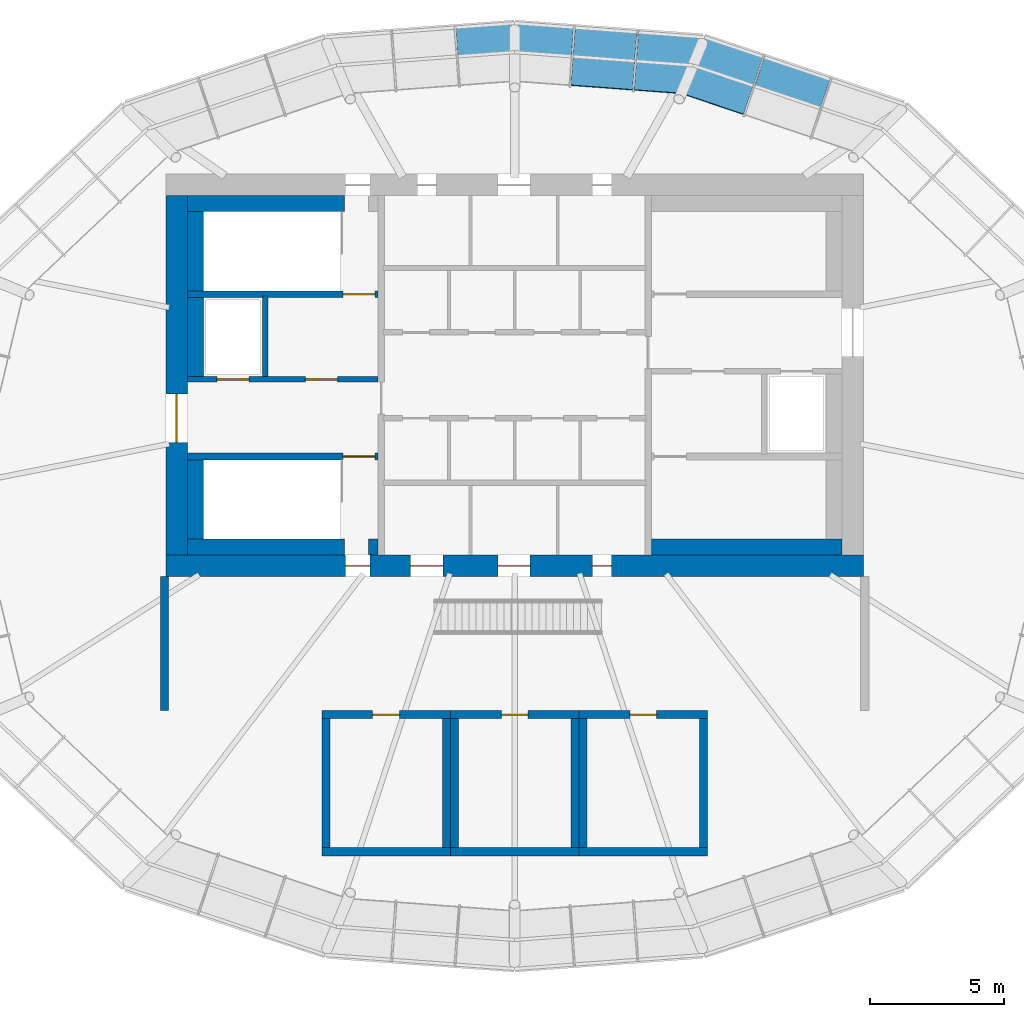
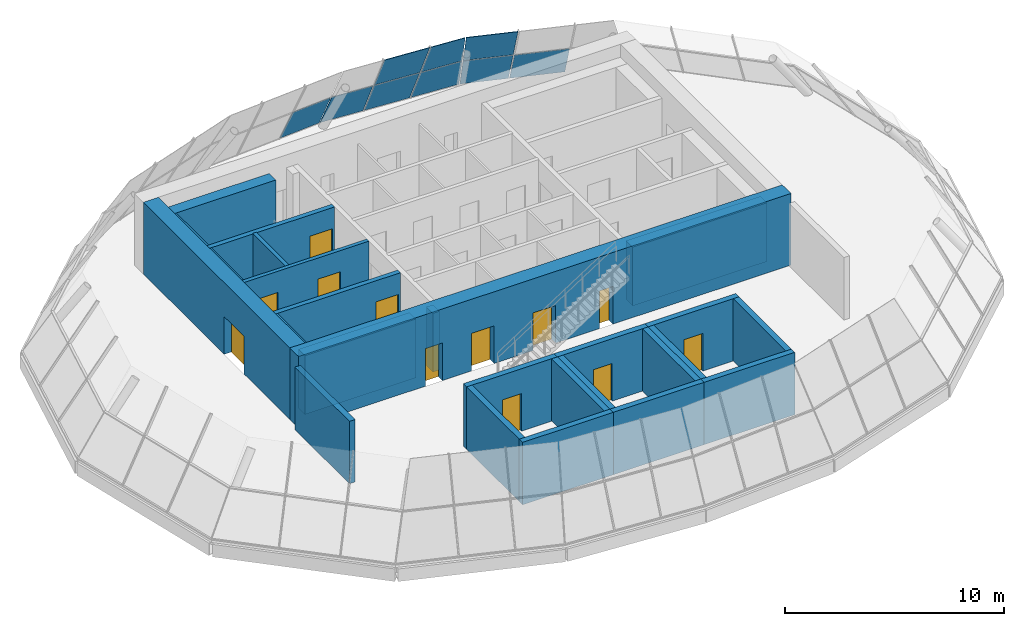
# One storey, part 5 of 8: 26 walls, 12 doors, 9 plates, 12 openings, 3 elements without a shape of their own.
"""IFC4 building model written with IfcOpenShell, lengths in metres."""

import ifcopenshell
import ifcopenshell.guid

model = None  # the IFC model being written
_history = None  # IfcOwnerHistory: only IFC2X3 demands one
_inside = {}  # id of a spatial element -> (the spatial element, [elements in it])
_under = {}  # id of a project, library or spatial element -> (it, [spatial elements below it])
_declared = {}  # id of a project -> (the project, [libraries it declares])
_typed = {}  # id of a type object -> (the type object, [elements of that type])
_made_of = {}  # id of a material, layer set ... -> (it, [elements and type objects made of it])


def new_model(schema):
    """Start an empty IFC model of exactly this schema.

    Asked for "IFC4X3", IfcOpenShell would pick the latest addendum, in which some entities
    have other attributes; the version numbers below select the first issue.
    IFC2X3 requires an IfcOwnerHistory on every rooted entity: one is made here for all.
    """
    global model, _history
    if schema == "IFC4X3":
        model = ifcopenshell.file(schema_version=(4, 3, 0, 0))
    else:
        model = ifcopenshell.file(schema=schema)
    _inside.clear()
    _under.clear()
    _declared.clear()
    _typed.clear()
    _made_of.clear()
    _history = None
    if model.schema == "IFC2X3":
        org = make("IfcOrganization", Name="unknown")
        user = make(
            "IfcPersonAndOrganization",
            ThePerson=make("IfcPerson", FamilyName="unknown"),
            TheOrganization=org,
        )
        app = make(
            "IfcApplication",
            ApplicationDeveloper=org,
            Version="unknown",
            ApplicationFullName="unknown",
            ApplicationIdentifier="unknown",
        )
        _history = make(
            "IfcOwnerHistory",
            OwningUser=user,
            OwningApplication=app,
            ChangeAction="ADDED",
            CreationDate=0,
        )
    return model


def make(cls, **values):
    """One entity of the class cls with the attributes given. An attribute that is None is left unset."""
    return model.create_entity(
        cls, **{name: value for name, value in values.items() if value is not None}
    )


def rooted(cls, **values):
    """An entity with a GlobalId (a new one), such as an element, a storey or a relation."""
    return make(cls, GlobalId=ifcopenshell.guid.new(), OwnerHistory=_history, **values)


def si_unit(unit_type, name, prefix=None):
    """IfcSIUnit, for example si_unit("LENGTHUNIT", "METRE", prefix="MILLI")."""
    return make("IfcSIUnit", UnitType=unit_type, Prefix=prefix, Name=name)


def assignment(units):
    """IfcUnitAssignment: the units of a project."""
    return None if units is None else make("IfcUnitAssignment", Units=units)


def point(xyz):
    """IfcCartesianPoint."""
    return None if xyz is None else make("IfcCartesianPoint", Coordinates=xyz)


def direction(xyz):
    """IfcDirection."""
    return None if xyz is None else make("IfcDirection", DirectionRatios=xyz)


def frame(location, z_axis=None, x_axis=None):
    """IfcAxis2Placement3D, a coordinate frame: its origin and axes. An axis left out is left unset."""
    return make(
        "IfcAxis2Placement3D",
        Location=point(location),
        Axis=direction(z_axis),
        RefDirection=direction(x_axis),
    )


def frame_2d(location, x_axis=None):
    """IfcAxis2Placement2D, a coordinate frame in the plane: its origin and x axis."""
    return make(
        "IfcAxis2Placement2D", Location=point(location), RefDirection=direction(x_axis)
    )


def origin():
    """The frame at (0, 0, 0) with its axes left unset."""
    return frame((0.0, 0.0, 0.0))


def place(relative_to, where):
    """IfcLocalPlacement: puts the frame where relative to a parent placement (None: the world)."""
    return make(
        "IfcLocalPlacement", PlacementRelTo=relative_to, RelativePlacement=where
    )


def context(
    kind, dimensions, precision=None, world=None, true_north=None, identifier=None
):
    """IfcGeometricRepresentationContext, for example the 3D "Model" context."""
    return make(
        "IfcGeometricRepresentationContext",
        ContextIdentifier=identifier,
        ContextType=kind,
        CoordinateSpaceDimension=dimensions,
        Precision=precision,
        WorldCoordinateSystem=world,
        TrueNorth=true_north,
    )


def subcontext(parent, identifier, kind, view, scale=None):
    """IfcGeometricRepresentationSubContext, for example "Body" below "Model"."""
    return make(
        "IfcGeometricRepresentationSubContext",
        ContextIdentifier=identifier,
        ContextType=kind,
        ParentContext=parent,
        TargetScale=scale,
        TargetView=view,
    )


def project(units=None, contexts=None):
    """IfcProject with its units and contexts."""
    return rooted(
        "IfcProject",
        Name="project",
        RepresentationContexts=contexts,
        UnitsInContext=assignment(units),
    )


def spatial(cls, under=None, at=None, **own):
    """A site, building, storey or space (cls), placed at a placement, below another one or the project."""
    s = rooted(cls, ObjectPlacement=at, **own)
    if under is not None:
        _under.setdefault(under.id(), (under, []))[1].append(s)
    return s


def polyline(points):
    """IfcPolyline through the points."""
    return make("IfcPolyline", Points=[point(p) for p in points])


def profile(cls, at=None, kind="AREA", **sizes):
    """A parametric profile (cls). Its sizes go by their IFC names, for example OverallWidth=200.0."""
    return make(cls, ProfileType=kind, Position=at, **sizes)


def rectangle(**sizes):
    """IfcRectangleProfileDef."""
    return profile("IfcRectangleProfileDef", **sizes)


def outline(outer, holes=None, kind="AREA"):
    """IfcArbitraryClosedProfileDef: a profile drawn as a closed curve; with holes, ...WithVoids."""
    if holes is None:
        return make("IfcArbitraryClosedProfileDef", ProfileType=kind, OuterCurve=outer)
    return make(
        "IfcArbitraryProfileDefWithVoids",
        ProfileType=kind,
        OuterCurve=outer,
        InnerCurves=holes,
    )


def extrude(swept, where, along, depth):
    """IfcExtrudedAreaSolid: the profile swept, set in the frame where, extruded along a direction by depth."""
    return make(
        "IfcExtrudedAreaSolid",
        SweptArea=swept,
        Position=where,
        ExtrudedDirection=direction(along),
        Depth=depth,
    )


def shape(context_of_items, identifier, shape_type, items):
    """IfcShapeRepresentation: the items that make up one representation, for example the "Body"."""
    return make(
        "IfcShapeRepresentation",
        ContextOfItems=context_of_items,
        RepresentationIdentifier=identifier,
        RepresentationType=shape_type,
        Items=items,
    )


def material(Name=None, Category=None):
    """IfcMaterial."""
    return make("IfcMaterial", Name=Name, Category=Category)


def layer(
    of_material, thickness, ventilated=None, Name=None, Category=None, Priority=None
):
    """IfcMaterialLayer: one layer of a wall or slab, of a material (None: an air gap)."""
    return make(
        "IfcMaterialLayer",
        Material=of_material,
        LayerThickness=thickness,
        IsVentilated=ventilated,
        Name=Name,
        Category=Category,
        Priority=Priority,
    )


def layer_set(layers, Name=None):
    """IfcMaterialLayerSet."""
    return make("IfcMaterialLayerSet", MaterialLayers=layers, LayerSetName=Name)


def made_of(thing, what):
    """Note that an element or type object is made of a material, layer set ...; save() writes the relation."""
    if what is not None:
        _made_of.setdefault(what.id(), (what, []))[1].append(thing)
    return thing


def type_object(cls, material=None, **own):
    """A type object (cls), such as IfcWallType, which elements share."""
    return made_of(rooted(cls, **own), material)


def element(
    cls,
    number,
    at=None,
    inside=None,
    cuts=None,
    type_object=None,
    material=None,
    context=None,
    identifier="Body",
    shape_type=None,
    held_by="IfcProductDefinitionShape",
    body=None,
    shapes=None,
    **own,
):
    """One element of the class cls, such as IfcWall. Its Tag is "e" and its number.

    at: its placement. inside: the storey or other place that contains it. cuts: it is an
    opening in that element (IfcRelVoidsElement). A single representation is given by context,
    identifier, shape_type and body (its items); several are given by shapes. held_by: the class
    of the entity that holds the representations. save() writes the other relations.
    """
    e = rooted(cls, Tag="e%d" % number, ObjectPlacement=at, **own)
    if body is not None:
        shapes = [shape(context, identifier, shape_type, body)]
    if shapes is not None:
        e.Representation = make(held_by, Representations=shapes)
    if inside is not None:
        _inside.setdefault(inside.id(), (inside, []))[1].append(e)
    if cuts is not None:
        rooted(
            "IfcRelVoidsElement", RelatingBuildingElement=cuts, RelatedOpeningElement=e
        )
    if type_object is not None:
        _typed.setdefault(type_object.id(), (type_object, []))[1].append(e)
    return made_of(e, material)


def fill(opening, filler):
    """IfcRelFillsElement: the door or window that sits in an opening."""
    return rooted(
        "IfcRelFillsElement",
        RelatingOpeningElement=opening,
        RelatedBuildingElement=filler,
    )


def aggregate(whole, parts):
    """IfcRelAggregates: a whole, such as a stair, and the parts it consists of."""
    return rooted("IfcRelAggregates", RelatingObject=whole, RelatedObjects=parts)


def save(model, path):
    """Write the relations noted so far, then the file.

    IfcRelAggregates (storeys below a building ...), IfcRelContainedInSpatialStructure (elements
    in a storey), IfcRelDefinesByType, IfcRelAssociatesMaterial and IfcRelDeclares: one each for
    every whole, place, type object, material and project.
    """
    for whole, parts in _under.values():
        aggregate(whole, parts)
    for where, things in _inside.values():
        rooted(
            "IfcRelContainedInSpatialStructure",
            RelatedElements=things,
            RelatingStructure=where,
        )
    for kind, things in _typed.values():
        rooted("IfcRelDefinesByType", RelatedObjects=things, RelatingType=kind)
    for what, things in _made_of.values():
        rooted("IfcRelAssociatesMaterial", RelatedObjects=things, RelatingMaterial=what)
    for by, libraries in _declared.values():
        rooted("IfcRelDeclares", RelatingContext=by, RelatedDefinitions=libraries)
    model.write(path)


model = new_model("IFC4")

# Units and contexts
model_context = context("Model", 3, precision=1e-05, world=origin(), true_north=direction((0.0, 1.0)))
body_context = subcontext(model_context, "Body", "Model", "MODEL_VIEW")
ifc_project = project(units=[si_unit("LENGTHUNIT", "METRE"), si_unit("AREAUNIT", "SQUARE_METRE"), si_unit("VOLUMEUNIT", "CUBIC_METRE"), si_unit("PLANEANGLEUNIT", "RADIAN"), si_unit("MASSUNIT", "GRAM", prefix="KILO")], contexts=[model_context])

# Site, building, storey
site_placement = place(None, origin())
site = spatial("IfcSite", under=ifc_project, at=site_placement, CompositionType="ELEMENT")
building_placement = place(site_placement, origin())
building = spatial("IfcBuilding", under=site, at=building_placement, Name="Rubra Terraces Tower", CompositionType="ELEMENT")
storey_placement = place(building_placement, frame((0.0, 0.0, 316.199951171875)))
storey = spatial("IfcBuildingStorey", under=building, at=storey_placement, Name="L78", CompositionType="ELEMENT", Elevation=316.199951171875)

# Curtain wall, plates
ifc_material_1 = material(Name="Aluminium and glass", Category="aluminium")
curtain_wall_type = type_object("IfcCurtainWallType", Name="Curtain wall Crown glazing", PredefinedType="NOTDEFINED", material=ifc_material_1)
curtain_wall_1_placement = place(storey_placement, origin())
curtain_wall_1 = element("IfcCurtainWall", 1, at=curtain_wall_1_placement, inside=storey, type_object=curtain_wall_type, Name="Crown glazing L78 facet 3", PredefinedType="NOTDEFINED")
ifc_material_2 = material(Name="Clear glass, laminated", Category="glass")
ifc_layer_1 = layer(ifc_material_2, 0.028076171875)
ifc_layer_set_1 = layer_set([ifc_layer_1], Name="Clear glass, laminated")
plate_type = type_object("IfcPlateType", Name="Crown glazing glass panel 28", PredefinedType="CURTAIN_PANEL", material=ifc_layer_set_1)
plate_1_placement = place(storey_placement, frame((11.746337890625, 15.521484375, 0.025634765625), z_axis=(0.280318083428, 0.834035903296, 0.475190366186), x_axis=(-0.947894085169, 0.318585629465, 0.0)))
plate_1 = element("IfcPlate", 2, at=plate_1_placement, type_object=plate_type, Name="Crown glazing L78 facet 3 panel 2.1", PredefinedType="CURTAIN_PANEL", context=body_context, shape_type="SweptSolid", body=[
    extrude(outline(polyline([(0.0, 0.0), (2.577156173850558, 5.551115123125783e-17), (2.5771842975819723, 2.328523332796875), (2.812373141453106e-05, 2.328523332796875), (0.0, 0.0)])), origin(), (0.0, 0.0, -1.0), 0.028076171875),
])
plate_2_placement = place(storey_placement, frame((9.24658203125, 16.361572265625, 0.025634765625), z_axis=(0.280291574263, 0.834041767396, 0.475195710878), x_axis=(-0.94790334704, 0.318558071097, -2.978237e-06)))
plate_2 = element("IfcPlate", 3, at=plate_2_placement, type_object=plate_type, Name="Crown glazing L78 facet 3 panel 3.1", PredefinedType="CURTAIN_PANEL", context=body_context, shape_type="SweptSolid", body=[
    extrude(outline(polyline([(0.0, 0.0), (2.2569898802476285, 0.0), (2.3330130010331884, 2.328538868451867), (5.4190996626113764e-05, 2.3285233322931624), (0.0, 0.0)])), origin(), (0.0, 0.0, -1.0), 0.028076171875),
])
plate_3_placement = place(storey_placement, frame((8.88525390625, 15.286376953125, 2.125732421875), z_axis=(0.28032529503, 0.834005096226, 0.475240179736), x_axis=(-0.94788750249, 0.318605214352, -3.216611e-06)))
plate_3 = element("IfcPlate", 4, at=plate_3_placement, type_object=plate_type, Name="Crown glazing L78 facet 3 panel 3.2", PredefinedType="CURTAIN_PANEL", context=body_context, shape_type="SweptSolid", body=[
    extrude(outline(polyline([(0.0, 0.0), (2.3348120845228157, 5.551115123125783e-17), (2.410779685014791, 2.328325869730795), (-1.3275977459316536e-06, 2.3283085206144074), (0.0, 0.0)])), origin(), (0.0, 0.0, -1.0), 0.028076171875),
])
aggregate(curtain_wall_1, [plate_1, plate_2, plate_3])

curtain_wall_2_placement = place(storey_placement, origin())
curtain_wall_2 = element("IfcCurtainWall", 5, at=curtain_wall_2_placement, inside=storey, type_object=curtain_wall_type, Name="Crown glazing L78 facet 4", PredefinedType="NOTDEFINED")
plate_4_placement = place(storey_placement, frame((7.048583984375, 17.092041015625, 0.0263671875), z_axis=(0.065827844026, 0.886928464313, 0.457192075765), x_axis=(-0.997257210201, 0.074013895159, 4.94697e-06)))
plate_4 = element("IfcPlate", 6, at=plate_4_placement, type_object=plate_type, Name="Crown glazing L78 facet 4 panel 1.1", PredefinedType="CURTAIN_PANEL", context=body_context, shape_type="SweptSolid", body=[
    extrude(outline(polyline([(0.0, 0.0), (2.441264448864069, -1.3877787807814457e-17), (2.441259761377617, 2.3020293600439947), (0.3471345173615588, 2.3020545874392075), (0.0, 0.0)])), origin(), (0.0, 0.0, -1.0), 0.028076171875),
])
plate_5_placement = place(storey_placement, frame((6.613525390625, 16.041748046875, 2.12646484375), z_axis=(0.065875532479, 0.886877750621, 0.457283576869), x_axis=(-0.997253881443, 0.074058727124, 2.9725824e-05)))
plate_5 = element("IfcPlate", 7, at=plate_5_placement, type_object=plate_type, Name="Crown glazing L78 facet 4 panel 1.2", PredefinedType="CURTAIN_PANEL", context=body_context, shape_type="SweptSolid", body=[
    extrude(outline(polyline([(0.0, 0.0), (2.0850626034649613, 1.3877787807814457e-17), (2.0853047971145817, 2.301820487367757), (0.3471198444371309, 2.3019482805844835), (0.0, 0.0)])), origin(), (0.0, 0.0, -1.0), 0.028076171875),
])
plate_6_placement = place(storey_placement, frame((4.55419921875, 17.277099609375, 0.0263671875), z_axis=(0.065858915129, 0.886931418452, 0.457181870004), x_axis=(-0.997254460847, 0.074050930582, 0.0)))
plate_6 = element("IfcPlate", 8, at=plate_6_placement, type_object=plate_type, Name="Crown glazing L78 facet 4 panel 2.1", PredefinedType="CURTAIN_PANEL", context=body_context, shape_type="SweptSolid", body=[
    extrude(outline(polyline([(0.0, 0.0), (2.3078499643103942, -1.3877787807814457e-17), (2.3077960635388663, 2.3020293595692936), (-5.390077152758832e-05, 2.302029359569293), (0.0, 0.0)])), origin(), (0.0, 0.0, -1.0), 0.028076171875),
])
plate_7_placement = place(storey_placement, frame((4.47412109375, 16.200439453125, 2.12646484375), z_axis=(0.065857273408, 0.886909309171, 0.457224995867), x_axis=(-0.997254460847, 0.074050930582, 0.0)))
plate_7 = element("IfcPlate", 9, at=plate_7_placement, type_object=plate_type, Name="Crown glazing L78 facet 4 panel 2.2", PredefinedType="CURTAIN_PANEL", context=body_context, shape_type="SweptSolid", body=[
    extrude(outline(polyline([(0.0, 0.0), (2.3078499643103942, 0.0), (2.3077960635388663, 2.3018122301398707), (-5.390077152758743e-05, 2.3018122301398707), (0.0, 0.0)])), origin(), (0.0, 0.0, -1.0), 0.028076171875),
])
plate_8_placement = place(storey_placement, frame((2.19287109375, 17.45263671875, 0.0263671875), z_axis=(0.065849766478, 0.886882187683, 0.457278682452), x_axis=(-0.997254643466, 0.074048470841, -7.182539e-06)))
plate_8 = element("IfcPlate", 10, at=plate_8_placement, type_object=plate_type, Name="Crown glazing L78 facet 4 panel 3.1", PredefinedType="CURTAIN_PANEL", context=body_context, shape_type="SweptSolid", body=[
    extrude(outline(polyline([(0.0, 0.0), (2.1690429772759368, 0.0), (2.0908579624589243, 2.3021750846888485), (-8.408840933604928e-05, 2.3021406793098333), (0.0, 0.0)])), origin(), (0.0, 0.0, -1.0), 0.028076171875),
])
aggregate(curtain_wall_2, [plate_4, plate_5, plate_6, plate_7, plate_8])

# Curtain wall, plate
curtain_wall_3_placement = place(storey_placement, origin())
curtain_wall_3 = element("IfcCurtainWall", 11, at=curtain_wall_3_placement, inside=storey, type_object=curtain_wall_type, Name="Crown glazing L78 facet 5", PredefinedType="NOTDEFINED")
plate_9_placement = place(storey_placement, frame((-0.02978515625, 17.613037109375, 0.02685546875), z_axis=(-0.065849567636, 0.88687950962, 0.457283905094), x_axis=(-0.99725464346, -0.074048470925, 7.1826e-06)))
plate_9 = element("IfcPlate", 12, at=plate_9_placement, type_object=plate_type, Name="Crown glazing L78 facet 5 panel 1.1", PredefinedType="CURTAIN_PANEL", context=body_context, shape_type="SweptSolid", body=[
    extrude(outline(polyline([(0.0, 0.0), (2.169042977275938, 0.0), (2.1690909024034246, 2.3010495318226547), (0.07814885153516885, 2.3010839375946186), (0.0, 0.0)])), origin(), (0.0, 0.0, -1.0), 0.028076171875),
])
aggregate(curtain_wall_3, [plate_9])

# Wall, openings, doors
ifc_material_3 = material(Name="Concrete C50", Category="concrete")
ifc_layer_2 = layer(ifc_material_3, 0.800048828125)
ifc_layer_set_2 = layer_set([ifc_layer_2], Name="Concrete C50")
wall_type_1 = type_object("IfcWallType", Name="CORE WALL 800 C50", PredefinedType="SHEAR", material=ifc_layer_set_2)
wall_1_placement = place(storey_placement, frame((-13.0, -2.60009765625, 0.0), z_axis=(0.0, 0.0, 1.0), x_axis=(1.0, 0.0, 0.0)))
wall_1 = element("IfcWall", 13, at=wall_1_placement, inside=storey, type_object=wall_type_1, Name="CORE WALL S L78", PredefinedType="SHEAR", context=body_context, shape_type="SweptSolid", body=[
    extrude(rectangle(XDim=26.0, YDim=0.800048828125, at=frame_2d((13.0, 0.0))), origin(), (0.0, 0.0, 1.0), 4.0),
])
opening_1_placement = place(wall_1_placement, frame((9.125, 0.0, 0.0)))
opening_1 = element("IfcOpeningElement", 14, at=opening_1_placement, cuts=wall_1, Name="Opening L78.C21", PredefinedType="OPENING", context=body_context, shape_type="SweptSolid", body=[
    extrude(rectangle(XDim=1.199951171875, YDim=2.10009765625, at=frame_2d((0.60009765625, 1.050048828125))), frame((0.0, 0.409912109375, 0.0), z_axis=(0.0, -1.0, 0.0), x_axis=(1.0, 0.0, 0.0)), (0.0, 0.0, 1.0), 0.820068359375),
])
opening_2_placement = place(wall_1_placement, frame((12.375, 0.0, 0.0)))
opening_2 = element("IfcOpeningElement", 15, at=opening_2_placement, cuts=wall_1, Name="Opening L78.C22", PredefinedType="OPENING", context=body_context, shape_type="SweptSolid", body=[
    extrude(rectangle(XDim=1.199951171875, YDim=2.10009765625, at=frame_2d((0.60009765625, 1.050048828125))), frame((0.0, 0.409912109375, 0.0), z_axis=(0.0, -1.0, 0.0), x_axis=(1.0, 0.0, 0.0)), (0.0, 0.0, 1.0), 0.820068359375),
])
opening_3_placement = place(wall_1_placement, frame((15.89990234375, 0.0, 0.0)))
opening_3 = element("IfcOpeningElement", 16, at=opening_3_placement, cuts=wall_1, Name="Opening L78.C23", PredefinedType="OPENING", context=body_context, shape_type="SweptSolid", body=[
    extrude(rectangle(XDim=0.699951171875, YDim=2.10009765625, at=frame_2d((0.35009765625, 1.050048828125))), frame((0.0, 0.409912109375, 0.0), z_axis=(0.0, -1.0, 0.0), x_axis=(1.0, 0.0, 0.0)), (0.0, 0.0, 1.0), 0.820068359375),
])
opening_4_placement = place(wall_1_placement, frame((6.699951171875, 0.0, 0.0)))
opening_4 = element("IfcOpeningElement", 17, at=opening_4_placement, cuts=wall_1, Name="Opening L78.P04", PredefinedType="OPENING", context=body_context, shape_type="SweptSolid", body=[
    extrude(rectangle(XDim=0.89990234375, YDim=2.10009765625, at=frame_2d((0.449951171875, 1.050048828125))), frame((0.0, 0.409912109375, 0.0), z_axis=(0.0, -1.0, 0.0), x_axis=(1.0, 0.0, 0.0)), (0.0, 0.0, 1.0), 0.820068359375),
])
ifc_material_4 = material(Name="Painted steel", Category="steel")
door_type_1 = type_object("IfcDoorType", Name="Fire door 1200x2100 single", OperationType="NOTDEFINED", PredefinedType="DOOR", material=ifc_material_4)
door_1_placement = place(opening_1_placement, origin())
door_1 = element("IfcDoor", 18, at=door_1_placement, inside=storey, type_object=door_type_1, Name="Air handling plant room door", OperationType="SINGLE_SWING_LEFT", OverallHeight=2.10009765625, OverallWidth=1.199951171875, PredefinedType="DOOR", context=body_context, shape_type="SweptSolid", body=[
    extrude(rectangle(XDim=1.199951171875, YDim=2.10009765625, at=frame_2d((0.60009765625, 1.050048828125))), frame((0.0, 0.02490234375, 0.0), z_axis=(0.0, -1.0, 0.0), x_axis=(1.0, 0.0, 0.0)), (0.0, 0.0, 1.0), 0.050048828125),
])
fill(opening_1, door_1)
door_2_placement = place(opening_2_placement, origin())
door_2 = element("IfcDoor", 19, at=door_2_placement, inside=storey, type_object=door_type_1, Name="Air handling plant room door", OperationType="SINGLE_SWING_RIGHT", OverallHeight=2.10009765625, OverallWidth=1.199951171875, PredefinedType="DOOR", context=body_context, shape_type="SweptSolid", body=[
    extrude(rectangle(XDim=1.199951171875, YDim=2.10009765625, at=frame_2d((0.60009765625, 1.050048828125))), frame((0.0, 0.02490234375, 0.0), z_axis=(0.0, -1.0, 0.0), x_axis=(1.0, 0.0, 0.0)), (0.0, 0.0, 1.0), 0.050048828125),
])
fill(opening_2, door_2)
door_type_2 = type_object("IfcDoorType", Name="Fire door 900x2100 single", OperationType="NOTDEFINED", PredefinedType="DOOR", material=ifc_material_4)
door_3_placement = place(opening_4_placement, origin())
door_3 = element("IfcDoor", 20, at=door_3_placement, inside=storey, type_object=door_type_2, Name="Stair S1 door from the plant corridor", OperationType="SINGLE_SWING_RIGHT", OverallHeight=2.10009765625, OverallWidth=0.89990234375, PredefinedType="DOOR", context=body_context, shape_type="SweptSolid", body=[
    extrude(rectangle(XDim=0.89990234375, YDim=2.10009765625, at=frame_2d((0.449951171875, 1.050048828125))), frame((0.0, 0.02490234375, 0.0), z_axis=(0.0, -1.0, 0.0), x_axis=(1.0, 0.0, 0.0)), (0.0, 0.0, 1.0), 0.050048828125),
])
fill(opening_4, door_3)
door_type_3 = type_object("IfcDoorType", Name="Riser access door 700x2100 single", OperationType="NOTDEFINED", PredefinedType="DOOR", material=ifc_material_4)
door_4_placement = place(opening_3_placement, origin())
door_4 = element("IfcDoor", 21, at=door_4_placement, inside=storey, type_object=door_type_3, Name="Electrical riser room door", OperationType="SINGLE_SWING_LEFT", OverallHeight=2.10009765625, OverallWidth=0.699951171875, PredefinedType="DOOR", context=body_context, shape_type="SweptSolid", body=[
    extrude(rectangle(XDim=0.699951171875, YDim=2.10009765625, at=frame_2d((0.35009765625, 1.050048828125))), frame((0.0, 0.02490234375, 0.0), z_axis=(0.0, -1.0, 0.0), x_axis=(1.0, 0.0, 0.0)), (0.0, 0.0, 1.0), 0.050048828125),
])
fill(opening_3, door_4)

# Wall, opening, door
wall_2_placement = place(storey_placement, frame((-12.60009765625, -2.199951171875, 0.0), z_axis=(0.0, 0.0, 1.0), x_axis=(0.0, 1.0, 0.0)))
wall_2 = element("IfcWall", 22, at=wall_2_placement, inside=storey, type_object=wall_type_1, Name="CORE WALL W L78", PredefinedType="SHEAR", context=body_context, shape_type="SweptSolid", body=[
    extrude(rectangle(XDim=13.39990234375, YDim=0.800048828125, at=frame_2d((6.699951171875, 0.0))), origin(), (0.0, 0.0, 1.0), 4.0),
])
opening_5_placement = place(wall_2_placement, frame((4.199951171875, 0.0, 0.0)))
opening_5 = element("IfcOpeningElement", 23, at=opening_5_placement, cuts=wall_2, Name="Opening L78.C01", PredefinedType="OPENING", context=body_context, shape_type="SweptSolid", body=[
    extrude(rectangle(XDim=1.800048828125, YDim=2.10009765625, at=frame_2d((0.89990234375, 1.050048828125))), frame((0.0, 0.409912109375, 0.0), z_axis=(0.0, -1.0, 0.0), x_axis=(1.0, 0.0, 0.0)), (0.0, 0.0, 1.0), 0.820068359375),
])
door_type_4 = type_object("IfcDoorType", Name="Fire door 1800x2100 double", OperationType="NOTDEFINED", PredefinedType="DOOR", material=ifc_material_4)
door_5_placement = place(opening_5_placement, origin())
door_5 = element("IfcDoor", 24, at=door_5_placement, inside=storey, type_object=door_type_4, Name="Core entrance door FF1", OperationType="DOUBLE_DOOR_SINGLE_SWING", OverallHeight=2.10009765625, OverallWidth=1.800048828125, PredefinedType="DOOR", context=body_context, shape_type="SweptSolid", body=[
    extrude(rectangle(XDim=1.800048828125, YDim=2.10009765625, at=frame_2d((0.89990234375, 1.050048828125))), frame((0.0, 0.02490234375, 0.0), z_axis=(0.0, -1.0, 0.0), x_axis=(1.0, 0.0, 0.0)), (0.0, 0.0, 1.0), 0.050048828125),
])
fill(opening_5, door_5)

# Walls
ifc_material_5 = material(Name="Concrete C40", Category="concrete")
ifc_layer_3 = layer(ifc_material_5, 0.35009765625)
ifc_layer_set_3 = layer_set([ifc_layer_3], Name="Concrete C40")
wall_type_2 = type_object("IfcWallType", Name="Core lining wall 350 concrete", PredefinedType="SOLIDWALL", material=ifc_layer_set_3)
wall_3_placement = place(storey_placement, frame((-5.27490234375, -2.199951171875, 0.0), z_axis=(0.0, 0.0, 1.0), x_axis=(0.0, 1.0, 0.0)))
element("IfcWall", 25, at=wall_3_placement, inside=storey, type_object=wall_type_2, Name="CORE LINING WALL L78", PredefinedType="SOLIDWALL", context=body_context, shape_type="SweptSolid", body=[
    extrude(rectangle(XDim=0.599853515625, YDim=0.35009765625, at=frame_2d((0.2998046875, 0.0))), origin(), (0.0, 0.0, 1.0), 3.280029296875),
])
ifc_layer_4 = layer(ifc_material_5, 0.60009765625)
ifc_layer_set_4 = layer_set([ifc_layer_4], Name="Concrete C40")
wall_type_3 = type_object("IfcWallType", Name="Core lining wall 600 concrete", PredefinedType="SOLIDWALL", material=ifc_layer_set_4)
wall_4_placement = place(storey_placement, frame((-12.199951171875, -1.89990234375, 0.0), z_axis=(0.0, 0.0, 1.0), x_axis=(1.0, 0.0, 0.0)))
element("IfcWall", 26, at=wall_4_placement, inside=storey, type_object=wall_type_3, Name="CORE LINING WALL L78", PredefinedType="SOLIDWALL", context=body_context, shape_type="SweptSolid", body=[
    extrude(rectangle(XDim=5.849853515625, YDim=0.60009765625, at=frame_2d((2.9248046875, 0.0))), origin(), (0.0, 0.0, 1.0), 3.280029296875),
])
wall_5_placement = place(storey_placement, frame((-11.89990234375, -1.60009765625, 0.0), z_axis=(0.0, 0.0, 1.0), x_axis=(0.0, 1.0, 0.0)))
element("IfcWall", 27, at=wall_5_placement, inside=storey, type_object=wall_type_3, Name="CORE LINING WALL L78", PredefinedType="SOLIDWALL", context=body_context, shape_type="SweptSolid", body=[
    extrude(rectangle(XDim=2.9501953125, YDim=0.60009765625, at=frame_2d((1.47509765625, 0.0))), origin(), (0.0, 0.0, 1.0), 3.280029296875),
])
wall_6_placement = place(storey_placement, frame((-11.89990234375, 4.449951171875, 0.0), z_axis=(0.0, 0.0, 1.0), x_axis=(0.0, 1.0, 0.0)))
element("IfcWall", 28, at=wall_6_placement, inside=storey, type_object=wall_type_3, Name="CORE LINING WALL L78", PredefinedType="SOLIDWALL", context=body_context, shape_type="SweptSolid", body=[
    extrude(rectangle(XDim=3.0, YDim=0.60009765625, at=frame_2d((1.5, 0.0))), origin(), (0.0, 0.0, 1.0), 3.280029296875),
])
wall_7_placement = place(storey_placement, frame((-11.89990234375, 7.64990234375, 0.0), z_axis=(0.0, 0.0, 1.0), x_axis=(0.0, 1.0, 0.0)))
element("IfcWall", 29, at=wall_7_placement, inside=storey, type_object=wall_type_3, Name="CORE LINING WALL L78", PredefinedType="SOLIDWALL", context=body_context, shape_type="SweptSolid", body=[
    extrude(rectangle(XDim=2.9501953125, YDim=0.60009765625, at=frame_2d((1.47509765625, 0.0))), origin(), (0.0, 0.0, 1.0), 3.280029296875),
])
wall_8_placement = place(storey_placement, frame((-12.199951171875, 10.89990234375, 0.0), z_axis=(0.0, 0.0, 1.0), x_axis=(1.0, 0.0, 0.0)))
element("IfcWall", 30, at=wall_8_placement, inside=storey, type_object=wall_type_3, Name="CORE LINING WALL L78", PredefinedType="SOLIDWALL", context=body_context, shape_type="SweptSolid", body=[
    extrude(rectangle(XDim=5.849853515625, YDim=0.60009765625, at=frame_2d((2.9248046875, 0.0))), origin(), (0.0, 0.0, 1.0), 3.280029296875),
])
wall_9_placement = place(storey_placement, frame((12.199951171875, -1.89990234375, 0.0), z_axis=(0.0, 0.0, 1.0), x_axis=(-1.0, 0.0, 0.0)))
element("IfcWall", 31, at=wall_9_placement, inside=storey, type_object=wall_type_3, Name="CORE LINING WALL L78", PredefinedType="SOLIDWALL", context=body_context, shape_type="SweptSolid", body=[
    extrude(rectangle(XDim=7.099853515625, YDim=0.60009765625, at=frame_2d((3.5498046875, 0.0))), origin(), (0.0, 0.0, 1.0), 3.280029296875),
])

# Wall, openings, doors
ifc_material_6 = material(Name="Concrete C30", Category="concrete")
ifc_layer_5 = layer(ifc_material_6, 0.199951171875)
ifc_layer_set_5 = layer_set([ifc_layer_5], Name="Concrete C30")
wall_type_4 = type_object("IfcWallType", Name="Core wall 200 concrete", PredefinedType="SOLIDWALL", material=ifc_layer_set_5)
wall_10_placement = place(storey_placement, frame((-12.199951171875, 4.35009765625, 0.0), z_axis=(0.0, 0.0, 1.0), x_axis=(1.0, 0.0, 0.0)))
wall_10 = element("IfcWall", 32, at=wall_10_placement, inside=storey, type_object=wall_type_4, Name="STAIR WALL L78", PredefinedType="SOLIDWALL", context=body_context, shape_type="SweptSolid", body=[
    extrude(rectangle(XDim=7.099853515625, YDim=0.199951171875, at=frame_2d((3.5498046875, 0.0))), origin(), (0.0, 0.0, 1.0), 3.280029296875),
])
opening_6_placement = place(wall_10_placement, frame((4.39990234375, 0.0, 0.0)))
opening_6 = element("IfcOpeningElement", 33, at=opening_6_placement, cuts=wall_10, Name="Opening L78.C05", PredefinedType="OPENING", context=body_context, shape_type="SweptSolid", body=[
    extrude(rectangle(XDim=1.199951171875, YDim=2.10009765625, at=frame_2d((0.60009765625, 1.050048828125))), frame((0.0, 0.10986328125, 0.0), z_axis=(0.0, -1.0, 0.0), x_axis=(1.0, 0.0, 0.0)), (0.0, 0.0, 1.0), 0.219970703125),
])
opening_7_placement = place(wall_10_placement, frame((1.10009765625, 0.0, 0.0)))
opening_7 = element("IfcOpeningElement", 34, at=opening_7_placement, cuts=wall_10, Name="Opening L78.C11", PredefinedType="OPENING", context=body_context, shape_type="SweptSolid", body=[
    extrude(rectangle(XDim=1.199951171875, YDim=2.10009765625, at=frame_2d((0.60009765625, 1.050048828125))), frame((0.0, 0.10986328125, 0.0), z_axis=(0.0, -1.0, 0.0), x_axis=(1.0, 0.0, 0.0)), (0.0, 0.0, 1.0), 0.219970703125),
])
door_6_placement = place(opening_6_placement, origin())
door_6 = element("IfcDoor", 35, at=door_6_placement, inside=storey, type_object=door_type_1, Name="Stair vestibule door S2", OperationType="SINGLE_SWING_LEFT", OverallHeight=2.10009765625, OverallWidth=1.199951171875, PredefinedType="DOOR", context=body_context, shape_type="SweptSolid", body=[
    extrude(rectangle(XDim=1.199951171875, YDim=2.10009765625, at=frame_2d((0.60009765625, 1.050048828125))), frame((0.0, 0.02490234375, 0.0), z_axis=(0.0, -1.0, 0.0), x_axis=(1.0, 0.0, 0.0)), (0.0, 0.0, 1.0), 0.050048828125),
])
fill(opening_6, door_6)
ifc_material_7 = material(Name="Stainless steel", Category="steel")
door_type_5 = type_object("IfcDoorType", Name="Lift landing door 1200x2100", OperationType="NOTDEFINED", PredefinedType="DOOR", material=ifc_material_7)
door_7_placement = place(opening_7_placement, origin())
door_7 = element("IfcDoor", 36, at=door_7_placement, inside=storey, type_object=door_type_5, Name="Landing door FF1", OperationType="SLIDING_TO_RIGHT", OverallHeight=2.10009765625, OverallWidth=1.199951171875, PredefinedType="DOOR", context=body_context, shape_type="SweptSolid", body=[
    extrude(rectangle(XDim=1.199951171875, YDim=2.10009765625, at=frame_2d((0.60009765625, 1.050048828125))), frame((0.0, 0.02490234375, 0.0), z_axis=(0.0, -1.0, 0.0), x_axis=(1.0, 0.0, 0.0)), (0.0, 0.0, 1.0), 0.050048828125),
])
fill(opening_7, door_7)

# Wall
wall_11_placement = place(storey_placement, frame((-9.300048828125, 4.449951171875, 0.0), z_axis=(0.0, 0.0, 1.0), x_axis=(0.0, 1.0, 0.0)))
element("IfcWall", 37, at=wall_11_placement, inside=storey, type_object=wall_type_4, Name="STAIR WALL L78", PredefinedType="SOLIDWALL", context=body_context, shape_type="SweptSolid", body=[
    extrude(rectangle(XDim=3.0, YDim=0.199951171875, at=frame_2d((1.5, 0.0))), origin(), (0.0, 0.0, 1.0), 3.280029296875),
])

# Wall, opening, door
ifc_material_8 = material(Name="Blockwork", Category="masonry")
ifc_layer_6 = layer(ifc_material_8, 0.300048828125)
ifc_layer_set_6 = layer_set([ifc_layer_6], Name="Blockwork")
wall_type_5 = type_object("IfcWallType", Name="Plant wall 300 blockwork", PredefinedType="SOLIDWALL", material=ifc_layer_set_6)
wall_12_placement = place(storey_placement, frame((-7.18701171875, -8.14990234375, 0.0), z_axis=(0.0, 0.0, 1.0), x_axis=(1.0, 0.0, 0.0)))
wall_12 = element("IfcWall", 38, at=wall_12_placement, inside=storey, type_object=wall_type_5, Name="PLANT ROOM WALL L78", PredefinedType="SOLIDWALL", context=body_context, shape_type="SweptSolid", body=[
    extrude(rectangle(XDim=4.791015625, YDim=0.300048828125, at=frame_2d((2.3955078125, 0.0))), origin(), (0.0, 0.0, 1.0), 3.484130859375),
])
opening_8_placement = place(wall_12_placement, frame((1.89599609375, 0.0, 0.0)))
opening_8 = element("IfcOpeningElement", 39, at=opening_8_placement, cuts=wall_12, Name="Opening L78.P01", PredefinedType="OPENING", context=body_context, shape_type="SweptSolid", body=[
    extrude(rectangle(XDim=1.0, YDim=2.10009765625, at=frame_2d((0.5, 1.050048828125))), frame((0.0, 0.159912109375, 0.0), z_axis=(0.0, -1.0, 0.0), x_axis=(1.0, 0.0, 0.0)), (0.0, 0.0, 1.0), 0.320068359375),
])
door_type_6 = type_object("IfcDoorType", Name="Fire door 1000x2100 single", OperationType="NOTDEFINED", PredefinedType="DOOR", material=ifc_material_4)
door_8_placement = place(opening_8_placement, origin())
door_8 = element("IfcDoor", 40, at=door_8_placement, inside=storey, type_object=door_type_6, Name="Crown mechanical plant door", OperationType="SINGLE_SWING_LEFT", OverallHeight=2.10009765625, OverallWidth=1.0, PredefinedType="DOOR", context=body_context, shape_type="SweptSolid", body=[
    extrude(rectangle(XDim=1.0, YDim=2.10009765625, at=frame_2d((0.5, 1.050048828125))), frame((0.0, 0.02490234375, 0.0), z_axis=(0.0, -1.0, 0.0), x_axis=(1.0, 0.0, 0.0)), (0.0, 0.0, 1.0), 0.050048828125),
])
fill(opening_8, door_8)

# Walls
wall_13_placement = place(storey_placement, frame((-7.18701171875, -13.260009765625, 0.0), z_axis=(0.0, 0.0, 1.0), x_axis=(1.0, 0.0, 0.0)))
element("IfcWall", 41, at=wall_13_placement, inside=storey, type_object=wall_type_5, Name="PLANT ROOM WALL L78", PredefinedType="SOLIDWALL", context=body_context, shape_type="SweptSolid", body=[
    extrude(rectangle(XDim=4.791015625, YDim=0.300048828125, at=frame_2d((2.3955078125, 0.0))), origin(), (0.0, 0.0, 1.0), 3.484130859375),
])
for number, where, z_axis, x_axis, name in (
    (42, (-7.037109375, -13.110107421875, 0.0), (0.0, 0.0, 1.0), (0.0, 1.0, 0.0), "PLANT ROOM WALL L78"),
    (43, (-2.5458984375, -13.110107421875, 0.0), (0.0, 0.0, 1.0), (0.0, 1.0, 0.0), "PLANT ROOM WALL L78"),
):
    element("IfcWall", number, at=place(storey_placement, frame(where, z_axis=z_axis, x_axis=x_axis)), inside=storey, type_object=wall_type_5, Name=name, PredefinedType="SOLIDWALL", context=body_context, shape_type="SweptSolid", body=[
        extrude(rectangle(XDim=4.81005859375, YDim=0.300048828125, at=frame_2d((2.405029296875, 0.0))), origin(), (0.0, 0.0, 1.0), 3.484130859375),
    ])

# Wall, opening, door
wall_14_placement = place(storey_placement, frame((-2.39599609375, -8.14990234375, 0.0), z_axis=(0.0, 0.0, 1.0), x_axis=(1.0, 0.0, 0.0)))
wall_14 = element("IfcWall", 44, at=wall_14_placement, inside=storey, type_object=wall_type_5, Name="PLANT ROOM WALL L78", PredefinedType="SOLIDWALL", context=body_context, shape_type="SweptSolid", body=[
    extrude(rectangle(XDim=4.7919921875, YDim=0.300048828125, at=frame_2d((2.39599609375, 0.0))), origin(), (0.0, 0.0, 1.0), 3.484130859375),
])
opening_9_placement = place(wall_14_placement, frame((1.89599609375, 0.0, 0.0)))
opening_9 = element("IfcOpeningElement", 45, at=opening_9_placement, cuts=wall_14, Name="Opening L78.P02", PredefinedType="OPENING", context=body_context, shape_type="SweptSolid", body=[
    extrude(rectangle(XDim=1.0, YDim=2.10009765625, at=frame_2d((0.5, 1.050048828125))), frame((0.0, 0.159912109375, 0.0), z_axis=(0.0, -1.0, 0.0), x_axis=(1.0, 0.0, 0.0)), (0.0, 0.0, 1.0), 0.320068359375),
])
door_9_placement = place(opening_9_placement, origin())
door_9 = element("IfcDoor", 46, at=door_9_placement, inside=storey, type_object=door_type_6, Name="Smoke extract plant door", OperationType="SINGLE_SWING_RIGHT", OverallHeight=2.10009765625, OverallWidth=1.0, PredefinedType="DOOR", context=body_context, shape_type="SweptSolid", body=[
    extrude(rectangle(XDim=1.0, YDim=2.10009765625, at=frame_2d((0.5, 1.050048828125))), frame((0.0, 0.02490234375, 0.0), z_axis=(0.0, -1.0, 0.0), x_axis=(1.0, 0.0, 0.0)), (0.0, 0.0, 1.0), 0.050048828125),
])
fill(opening_9, door_9)

# Walls
wall_15_placement = place(storey_placement, frame((-2.39599609375, -13.260009765625, 0.0), z_axis=(0.0, 0.0, 1.0), x_axis=(1.0, 0.0, 0.0)))
element("IfcWall", 47, at=wall_15_placement, inside=storey, type_object=wall_type_5, Name="PLANT ROOM WALL L78", PredefinedType="SOLIDWALL", context=body_context, shape_type="SweptSolid", body=[
    extrude(rectangle(XDim=4.7919921875, YDim=0.300048828125, at=frame_2d((2.39599609375, 0.0))), origin(), (0.0, 0.0, 1.0), 3.484130859375),
])
for number, where, z_axis, x_axis, name in (
    (48, (-2.24609375, -13.110107421875, 0.0), (0.0, 0.0, 1.0), (0.0, 1.0, 0.0), "PLANT ROOM WALL L78"),
    (49, (2.24609375, -13.110107421875, 0.0), (0.0, 0.0, 1.0), (0.0, 1.0, 0.0), "PLANT ROOM WALL L78"),
):
    element("IfcWall", number, at=place(storey_placement, frame(where, z_axis=z_axis, x_axis=x_axis)), inside=storey, type_object=wall_type_5, Name=name, PredefinedType="SOLIDWALL", context=body_context, shape_type="SweptSolid", body=[
        extrude(rectangle(XDim=4.81005859375, YDim=0.300048828125, at=frame_2d((2.405029296875, 0.0))), origin(), (0.0, 0.0, 1.0), 3.484130859375),
    ])

# Wall, opening, door
wall_16_placement = place(storey_placement, frame((2.39599609375, -8.14990234375, 0.0), z_axis=(0.0, 0.0, 1.0), x_axis=(1.0, 0.0, 0.0)))
wall_16 = element("IfcWall", 50, at=wall_16_placement, inside=storey, type_object=wall_type_5, Name="PLANT ROOM WALL L78", PredefinedType="SOLIDWALL", context=body_context, shape_type="SweptSolid", body=[
    extrude(rectangle(XDim=4.791015625, YDim=0.300048828125, at=frame_2d((2.3955078125, 0.0))), origin(), (0.0, 0.0, 1.0), 3.484130859375),
])
opening_10_placement = place(wall_16_placement, frame((1.89599609375, 0.0, 0.0)))
opening_10 = element("IfcOpeningElement", 51, at=opening_10_placement, cuts=wall_16, Name="Opening L78.P03", PredefinedType="OPENING", context=body_context, shape_type="SweptSolid", body=[
    extrude(rectangle(XDim=1.0, YDim=2.10009765625, at=frame_2d((0.5, 1.050048828125))), frame((0.0, 0.159912109375, 0.0), z_axis=(0.0, -1.0, 0.0), x_axis=(1.0, 0.0, 0.0)), (0.0, 0.0, 1.0), 0.320068359375),
])
door_10_placement = place(opening_10_placement, origin())
door_10 = element("IfcDoor", 52, at=door_10_placement, inside=storey, type_object=door_type_6, Name="Building maintenance unit store door", OperationType="SINGLE_SWING_LEFT", OverallHeight=2.10009765625, OverallWidth=1.0, PredefinedType="DOOR", context=body_context, shape_type="SweptSolid", body=[
    extrude(rectangle(XDim=1.0, YDim=2.10009765625, at=frame_2d((0.5, 1.050048828125))), frame((0.0, 0.02490234375, 0.0), z_axis=(0.0, -1.0, 0.0), x_axis=(1.0, 0.0, 0.0)), (0.0, 0.0, 1.0), 0.050048828125),
])
fill(opening_10, door_10)

# Walls
wall_17_placement = place(storey_placement, frame((2.39599609375, -13.260009765625, 0.0), z_axis=(0.0, 0.0, 1.0), x_axis=(1.0, 0.0, 0.0)))
element("IfcWall", 53, at=wall_17_placement, inside=storey, type_object=wall_type_5, Name="PLANT ROOM WALL L78", PredefinedType="SOLIDWALL", context=body_context, shape_type="SweptSolid", body=[
    extrude(rectangle(XDim=4.791015625, YDim=0.300048828125, at=frame_2d((2.3955078125, 0.0))), origin(), (0.0, 0.0, 1.0), 3.484130859375),
])
for number, where, z_axis, x_axis, name in (
    (54, (2.5458984375, -13.110107421875, 0.0), (0.0, 0.0, 1.0), (0.0, 1.0, 0.0), "PLANT ROOM WALL L78"),
    (55, (7.037109375, -13.110107421875, 0.0), (0.0, 0.0, 1.0), (0.0, 1.0, 0.0), "PLANT ROOM WALL L78"),
):
    element("IfcWall", number, at=place(storey_placement, frame(where, z_axis=z_axis, x_axis=x_axis)), inside=storey, type_object=wall_type_5, Name=name, PredefinedType="SOLIDWALL", context=body_context, shape_type="SweptSolid", body=[
        extrude(rectangle(XDim=4.81005859375, YDim=0.300048828125, at=frame_2d((2.405029296875, 0.0))), origin(), (0.0, 0.0, 1.0), 3.484130859375),
    ])
wall_18_placement = place(storey_placement, frame((-13.050048828125, -8.0, 0.0), z_axis=(0.0, 0.0, 1.0), x_axis=(0.0, 1.0, 0.0)))
element("IfcWall", 56, at=wall_18_placement, inside=storey, type_object=wall_type_5, Name="PLANT CORRIDOR WALL L78", PredefinedType="SOLIDWALL", context=body_context, shape_type="SweptSolid", body=[
    extrude(rectangle(XDim=5.0, YDim=0.300048828125, at=frame_2d((2.5, 0.0))), origin(), (0.0, 0.0, 1.0), 3.484130859375),
])

# Wall, opening, door
ifc_layer_7 = layer(ifc_material_5, 0.25)
ifc_layer_set_7 = layer_set([ifc_layer_7], Name="Concrete C40")
wall_type_6 = type_object("IfcWallType", Name="Stair enclosure wall 250 concrete", PredefinedType="SOLIDWALL", material=ifc_layer_set_7)
wall_19_placement = place(storey_placement, frame((-12.199951171875, 1.47509765625, 0.0), z_axis=(0.0, 0.0, 1.0), x_axis=(1.0, 0.0, 0.0)))
wall_19 = element("IfcWall", 57, at=wall_19_placement, inside=storey, type_object=wall_type_6, Name="STAIR WALL L78", PredefinedType="SOLIDWALL", context=body_context, shape_type="SweptSolid", body=[
    extrude(rectangle(XDim=7.099853515625, YDim=0.25, at=frame_2d((3.5498046875, 0.0))), origin(), (0.0, 0.0, 1.0), 3.280029296875),
])
opening_11_placement = place(wall_19_placement, frame((5.800048828125, 0.0, 0.0)))
opening_11 = element("IfcOpeningElement", 58, at=opening_11_placement, cuts=wall_19, Name="Opening L78.C07", PredefinedType="OPENING", context=body_context, shape_type="SweptSolid", body=[
    extrude(rectangle(XDim=1.199951171875, YDim=2.10009765625, at=frame_2d((0.60009765625, 1.050048828125))), frame((0.0, 0.135009765625, 0.0), z_axis=(0.0, -1.0, 0.0), x_axis=(1.0, 0.0, 0.0)), (0.0, 0.0, 1.0), 0.27001953125),
])
door_11_placement = place(opening_11_placement, origin())
door_11 = element("IfcDoor", 59, at=door_11_placement, inside=storey, type_object=door_type_1, Name="Stair door S1", OperationType="SINGLE_SWING_LEFT", OverallHeight=2.10009765625, OverallWidth=1.199951171875, PredefinedType="DOOR", context=body_context, shape_type="SweptSolid", body=[
    extrude(rectangle(XDim=1.199951171875, YDim=2.10009765625, at=frame_2d((0.60009765625, 1.050048828125))), frame((0.0, 0.02490234375, 0.0), z_axis=(0.0, -1.0, 0.0), x_axis=(1.0, 0.0, 0.0)), (0.0, 0.0, 1.0), 0.050048828125),
])
fill(opening_11, door_11)

wall_20_placement = place(storey_placement, frame((-12.199951171875, 7.52490234375, 0.0), z_axis=(0.0, 0.0, 1.0), x_axis=(1.0, 0.0, 0.0)))
wall_20 = element("IfcWall", 60, at=wall_20_placement, inside=storey, type_object=wall_type_6, Name="STAIR WALL L78", PredefinedType="SOLIDWALL", context=body_context, shape_type="SweptSolid", body=[
    extrude(rectangle(XDim=7.099853515625, YDim=0.25, at=frame_2d((3.5498046875, 0.0))), origin(), (0.0, 0.0, 1.0), 3.280029296875),
])
opening_12_placement = place(wall_20_placement, frame((5.800048828125, 0.0, 0.0)))
opening_12 = element("IfcOpeningElement", 61, at=opening_12_placement, cuts=wall_20, Name="Opening L78.C09", PredefinedType="OPENING", context=body_context, shape_type="SweptSolid", body=[
    extrude(rectangle(XDim=1.199951171875, YDim=2.10009765625, at=frame_2d((0.60009765625, 1.050048828125))), frame((0.0, 0.135009765625, 0.0), z_axis=(0.0, -1.0, 0.0), x_axis=(1.0, 0.0, 0.0)), (0.0, 0.0, 1.0), 0.27001953125),
])
door_12_placement = place(opening_12_placement, origin())
door_12 = element("IfcDoor", 62, at=door_12_placement, inside=storey, type_object=door_type_1, Name="Stair door S2", OperationType="SINGLE_SWING_LEFT", OverallHeight=2.10009765625, OverallWidth=1.199951171875, PredefinedType="DOOR", context=body_context, shape_type="SweptSolid", body=[
    extrude(rectangle(XDim=1.199951171875, YDim=2.10009765625, at=frame_2d((0.60009765625, 1.050048828125))), frame((0.0, 0.02490234375, 0.0), z_axis=(0.0, -1.0, 0.0), x_axis=(1.0, 0.0, 0.0)), (0.0, 0.0, 1.0), 0.050048828125),
])
fill(opening_12, door_12)

save(model, "model.ifc")
